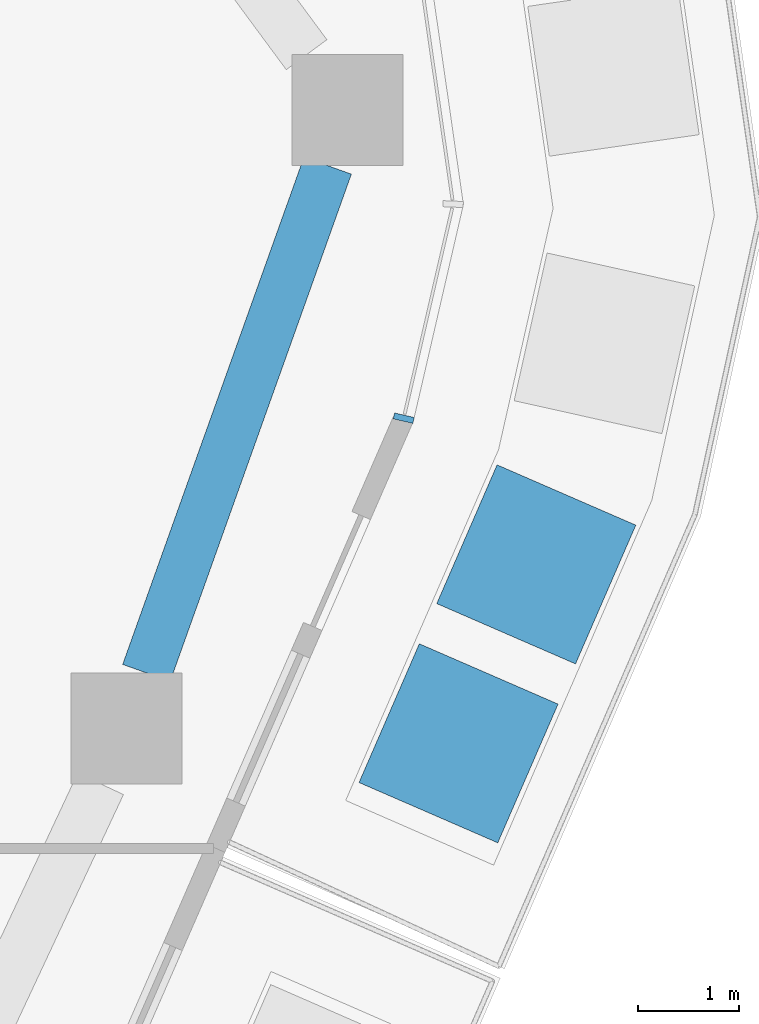
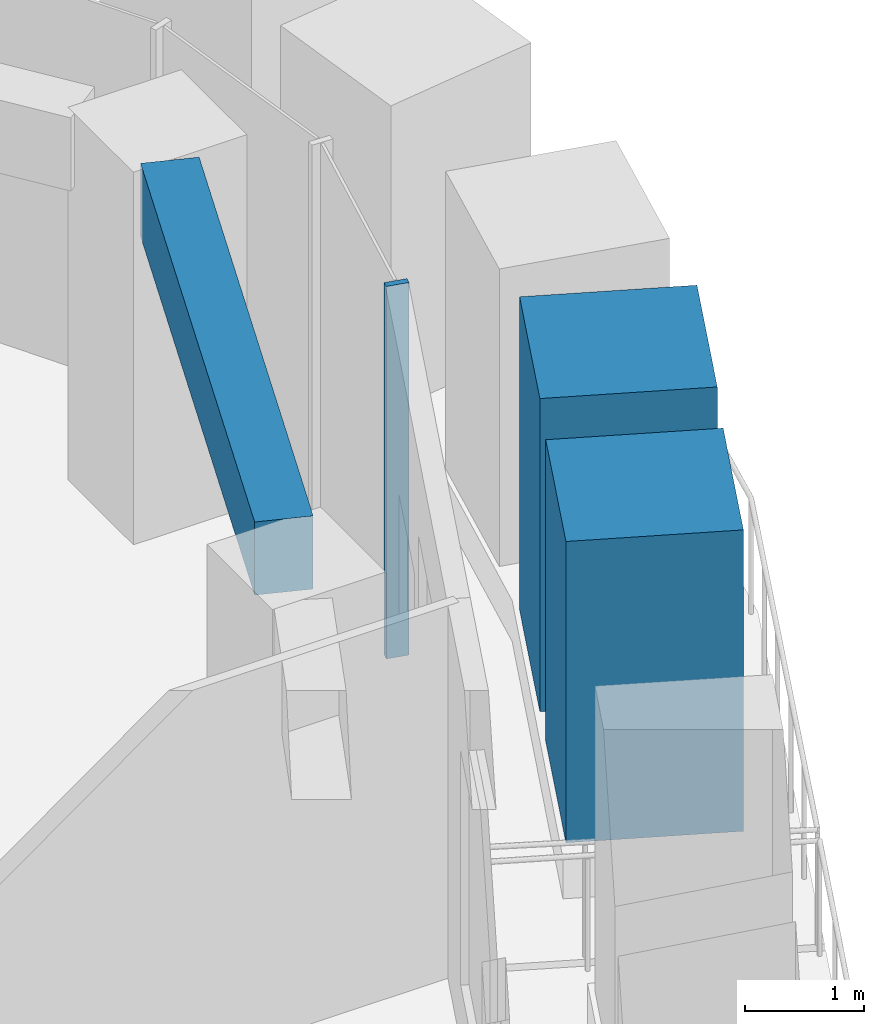
# One storey, part 5 of 20: 3 members, 1 beam, 1 element without a shape of its own.
"""IFC4 building model written with IfcOpenShell, lengths in metres."""

import ifcopenshell
import ifcopenshell.guid

model = None  # the IFC model being written
_history = None  # IfcOwnerHistory: only IFC2X3 demands one
_inside = {}  # id of a spatial element -> (the spatial element, [elements in it])
_under = {}  # id of a project, library or spatial element -> (it, [spatial elements below it])
_declared = {}  # id of a project -> (the project, [libraries it declares])
_typed = {}  # id of a type object -> (the type object, [elements of that type])
_made_of = {}  # id of a material, layer set ... -> (it, [elements and type objects made of it])


def new_model(schema):
    """Start an empty IFC model of exactly this schema.

    Asked for "IFC4X3", IfcOpenShell would pick the latest addendum, in which some entities
    have other attributes; the version numbers below select the first issue.
    IFC2X3 requires an IfcOwnerHistory on every rooted entity: one is made here for all.
    """
    global model, _history
    if schema == "IFC4X3":
        model = ifcopenshell.file(schema_version=(4, 3, 0, 0))
    else:
        model = ifcopenshell.file(schema=schema)
    _inside.clear()
    _under.clear()
    _declared.clear()
    _typed.clear()
    _made_of.clear()
    _history = None
    if model.schema == "IFC2X3":
        org = make("IfcOrganization", Name="unknown")
        user = make(
            "IfcPersonAndOrganization",
            ThePerson=make("IfcPerson", FamilyName="unknown"),
            TheOrganization=org,
        )
        app = make(
            "IfcApplication",
            ApplicationDeveloper=org,
            Version="unknown",
            ApplicationFullName="unknown",
            ApplicationIdentifier="unknown",
        )
        _history = make(
            "IfcOwnerHistory",
            OwningUser=user,
            OwningApplication=app,
            ChangeAction="ADDED",
            CreationDate=0,
        )
    return model


def make(cls, **values):
    """One entity of the class cls with the attributes given. An attribute that is None is left unset."""
    return model.create_entity(
        cls, **{name: value for name, value in values.items() if value is not None}
    )


def rooted(cls, **values):
    """An entity with a GlobalId (a new one), such as an element, a storey or a relation."""
    return make(cls, GlobalId=ifcopenshell.guid.new(), OwnerHistory=_history, **values)


def si_unit(unit_type, name, prefix=None):
    """IfcSIUnit, for example si_unit("LENGTHUNIT", "METRE", prefix="MILLI")."""
    return make("IfcSIUnit", UnitType=unit_type, Prefix=prefix, Name=name)


def assignment(units):
    """IfcUnitAssignment: the units of a project."""
    return None if units is None else make("IfcUnitAssignment", Units=units)


def point(xyz):
    """IfcCartesianPoint."""
    return None if xyz is None else make("IfcCartesianPoint", Coordinates=xyz)


def direction(xyz):
    """IfcDirection."""
    return None if xyz is None else make("IfcDirection", DirectionRatios=xyz)


def frame(location, z_axis=None, x_axis=None):
    """IfcAxis2Placement3D, a coordinate frame: its origin and axes. An axis left out is left unset."""
    return make(
        "IfcAxis2Placement3D",
        Location=point(location),
        Axis=direction(z_axis),
        RefDirection=direction(x_axis),
    )


def frame_2d(location, x_axis=None):
    """IfcAxis2Placement2D, a coordinate frame in the plane: its origin and x axis."""
    return make(
        "IfcAxis2Placement2D", Location=point(location), RefDirection=direction(x_axis)
    )


def origin():
    """The frame at (0, 0, 0) with its axes left unset."""
    return frame((0.0, 0.0, 0.0))


def origin_2d():
    """The frame at (0, 0) in the plane with its x axis left unset."""
    return frame_2d((0.0, 0.0))


def place(relative_to, where):
    """IfcLocalPlacement: puts the frame where relative to a parent placement (None: the world)."""
    return make(
        "IfcLocalPlacement", PlacementRelTo=relative_to, RelativePlacement=where
    )


def context(
    kind, dimensions, precision=None, world=None, true_north=None, identifier=None
):
    """IfcGeometricRepresentationContext, for example the 3D "Model" context."""
    return make(
        "IfcGeometricRepresentationContext",
        ContextIdentifier=identifier,
        ContextType=kind,
        CoordinateSpaceDimension=dimensions,
        Precision=precision,
        WorldCoordinateSystem=world,
        TrueNorth=true_north,
    )


def subcontext(parent, identifier, kind, view, scale=None):
    """IfcGeometricRepresentationSubContext, for example "Body" below "Model"."""
    return make(
        "IfcGeometricRepresentationSubContext",
        ContextIdentifier=identifier,
        ContextType=kind,
        ParentContext=parent,
        TargetScale=scale,
        TargetView=view,
    )


def project(units=None, contexts=None):
    """IfcProject with its units and contexts."""
    return rooted(
        "IfcProject",
        Name="project",
        RepresentationContexts=contexts,
        UnitsInContext=assignment(units),
    )


def spatial(cls, under=None, at=None, **own):
    """A site, building, storey or space (cls), placed at a placement, below another one or the project."""
    s = rooted(cls, ObjectPlacement=at, **own)
    if under is not None:
        _under.setdefault(under.id(), (under, []))[1].append(s)
    return s


def profile(cls, at=None, kind="AREA", **sizes):
    """A parametric profile (cls). Its sizes go by their IFC names, for example OverallWidth=200.0."""
    return make(cls, ProfileType=kind, Position=at, **sizes)


def rectangle(**sizes):
    """IfcRectangleProfileDef."""
    return profile("IfcRectangleProfileDef", **sizes)


def extrude(swept, where, along, depth):
    """IfcExtrudedAreaSolid: the profile swept, set in the frame where, extruded along a direction by depth."""
    return make(
        "IfcExtrudedAreaSolid",
        SweptArea=swept,
        Position=where,
        ExtrudedDirection=direction(along),
        Depth=depth,
    )


def shape(context_of_items, identifier, shape_type, items):
    """IfcShapeRepresentation: the items that make up one representation, for example the "Body"."""
    return make(
        "IfcShapeRepresentation",
        ContextOfItems=context_of_items,
        RepresentationIdentifier=identifier,
        RepresentationType=shape_type,
        Items=items,
    )


def material(Name=None, Category=None):
    """IfcMaterial."""
    return make("IfcMaterial", Name=Name, Category=Category)


def layer(
    of_material, thickness, ventilated=None, Name=None, Category=None, Priority=None
):
    """IfcMaterialLayer: one layer of a wall or slab, of a material (None: an air gap)."""
    return make(
        "IfcMaterialLayer",
        Material=of_material,
        LayerThickness=thickness,
        IsVentilated=ventilated,
        Name=Name,
        Category=Category,
        Priority=Priority,
    )


def layer_set(layers, Name=None):
    """IfcMaterialLayerSet."""
    return make("IfcMaterialLayerSet", MaterialLayers=layers, LayerSetName=Name)


def material_profile(
    of_material, cross_section, Name=None, Category=None, Priority=None
):
    """IfcMaterialProfile: a cross section and its material."""
    return make(
        "IfcMaterialProfile",
        Name=Name,
        Material=of_material,
        Profile=cross_section,
        Priority=Priority,
        Category=Category,
    )


def profile_set(profiles, Name=None, composite=None):
    """IfcMaterialProfileSet."""
    return make(
        "IfcMaterialProfileSet",
        Name=Name,
        MaterialProfiles=profiles,
        CompositeProfile=composite,
    )


def made_of(thing, what):
    """Note that an element or type object is made of a material, layer set ...; save() writes the relation."""
    if what is not None:
        _made_of.setdefault(what.id(), (what, []))[1].append(thing)
    return thing


def type_object(cls, material=None, **own):
    """A type object (cls), such as IfcWallType, which elements share."""
    return made_of(rooted(cls, **own), material)


def element(
    cls,
    number,
    at=None,
    inside=None,
    cuts=None,
    type_object=None,
    material=None,
    context=None,
    identifier="Body",
    shape_type=None,
    held_by="IfcProductDefinitionShape",
    body=None,
    shapes=None,
    **own,
):
    """One element of the class cls, such as IfcWall. Its Tag is "e" and its number.

    at: its placement. inside: the storey or other place that contains it. cuts: it is an
    opening in that element (IfcRelVoidsElement). A single representation is given by context,
    identifier, shape_type and body (its items); several are given by shapes. held_by: the class
    of the entity that holds the representations. save() writes the other relations.
    """
    e = rooted(cls, Tag="e%d" % number, ObjectPlacement=at, **own)
    if body is not None:
        shapes = [shape(context, identifier, shape_type, body)]
    if shapes is not None:
        e.Representation = make(held_by, Representations=shapes)
    if inside is not None:
        _inside.setdefault(inside.id(), (inside, []))[1].append(e)
    if cuts is not None:
        rooted(
            "IfcRelVoidsElement", RelatingBuildingElement=cuts, RelatedOpeningElement=e
        )
    if type_object is not None:
        _typed.setdefault(type_object.id(), (type_object, []))[1].append(e)
    return made_of(e, material)


def aggregate(whole, parts):
    """IfcRelAggregates: a whole, such as a stair, and the parts it consists of."""
    return rooted("IfcRelAggregates", RelatingObject=whole, RelatedObjects=parts)


def save(model, path):
    """Write the relations noted so far, then the file.

    IfcRelAggregates (storeys below a building ...), IfcRelContainedInSpatialStructure (elements
    in a storey), IfcRelDefinesByType, IfcRelAssociatesMaterial and IfcRelDeclares: one each for
    every whole, place, type object, material and project.
    """
    for whole, parts in _under.values():
        aggregate(whole, parts)
    for where, things in _inside.values():
        rooted(
            "IfcRelContainedInSpatialStructure",
            RelatedElements=things,
            RelatingStructure=where,
        )
    for kind, things in _typed.values():
        rooted("IfcRelDefinesByType", RelatedObjects=things, RelatingType=kind)
    for what, things in _made_of.values():
        rooted("IfcRelAssociatesMaterial", RelatedObjects=things, RelatingMaterial=what)
    for by, libraries in _declared.values():
        rooted("IfcRelDeclares", RelatingContext=by, RelatedDefinitions=libraries)
    model.write(path)


model = new_model("IFC4")

# Units and contexts
model_context = context("Model", 3, precision=1e-05, world=origin(), true_north=direction((0.0, 1.0)))
body_context = subcontext(model_context, "Body", "Model", "MODEL_VIEW")
ifc_project = project(units=[si_unit("LENGTHUNIT", "METRE"), si_unit("AREAUNIT", "SQUARE_METRE"), si_unit("VOLUMEUNIT", "CUBIC_METRE"), si_unit("PLANEANGLEUNIT", "RADIAN"), si_unit("MASSUNIT", "GRAM", prefix="KILO")], contexts=[model_context])

# Site, building, storey
site_placement = place(None, origin())
site = spatial("IfcSite", under=ifc_project, at=site_placement, CompositionType="ELEMENT")
building_placement = place(site_placement, origin())
building = spatial("IfcBuilding", under=site, at=building_placement, Name="Dongbaek Canopy Tower", CompositionType="ELEMENT")
storey_placement = place(building_placement, frame((0.0, 0.0, 241.199951171875)))
storey = spatial("IfcBuildingStorey", under=building, at=storey_placement, Name="L50", CompositionType="ELEMENT", Elevation=241.199951171875)

# Curtain wall, member
ifc_material_1 = material(Name="Aluminium 6063-T6 pale anodised", Category="aluminium")
ifc_layer = layer(ifc_material_1, 0.199951171875)
ifc_layer_set = layer_set([ifc_layer], Name="CW-1 unitised tower curtain wall")
curtain_wall_type = type_object("IfcCurtainWallType", Name="CW-1 unitised tower curtain wall", PredefinedType="NOTDEFINED", material=ifc_layer_set)
curtain_wall_placement = place(storey_placement, origin())
curtain_wall = element("IfcCurtainWall", 1, at=curtain_wall_placement, inside=storey, type_object=curtain_wall_type, Name="CW-1 curtain wall K0.1", PredefinedType="NOTDEFINED")
ifc_material_2 = material(Name="Aluminium 6063-T6 pale anodised", Category="aluminium")
ifc_material_profile_1 = material_profile(ifc_material_2, rectangle(XDim=0.199951171875, YDim=0.06005859375, at=origin_2d()), Name="CW-1 mullion 60 x 200")
ifc_profile_set_1 = profile_set([ifc_material_profile_1], Name="Aluminium 6063-T6 pale anodised")
member_type_1 = type_object("IfcMemberType", Name="CW-1 mullion 60 x 200", PredefinedType="MULLION", material=ifc_profile_set_1)
member_1_placement = place(storey_placement, frame((28.04931640625, 2.92333984375, 0.0), z_axis=(0.0, 0.0, 1.0), x_axis=(0.974361728363, -0.224987160304, 0.0)))
member_1 = element("IfcMember", 2, at=member_1_placement, type_object=member_type_1, Name="CW-1 mullion K0.1.1", PredefinedType="MULLION", context=body_context, shape_type="SweptSolid", body=[
    extrude(rectangle(XDim=0.199951171875, YDim=0.06005859375, at=origin_2d()), origin(), (0.0, 0.0, 1.0), 3.820068359375),
])
aggregate(curtain_wall, [member_1])

# Beam
ifc_material_3 = material(Name="Concrete C70", Category="concrete")
ifc_material_profile_2 = material_profile(ifc_material_3, rectangle(XDim=0.5, YDim=0.75, at=origin_2d()), Name="RC EDGE BEAM 500x750 C70")
ifc_profile_set_2 = profile_set([ifc_material_profile_2], Name="Concrete C70")
beam_type = type_object("IfcBeamType", Name="RC EDGE BEAM 500x750 C70", PredefinedType="BEAM", material=ifc_profile_set_2)
beam_placement = place(storey_placement, frame((27.29541015625, 5.427001953125, 3.445068359375), z_axis=(-0.336466714227, -0.94169535956, 0.0), x_axis=(0.94169535956, -0.336466714227, 0.0)))
element("IfcBeam", 3, at=beam_placement, inside=storey, type_object=beam_type, Name="EDGEBEAM:L50:21", PredefinedType="BEAM", context=body_context, shape_type="SweptSolid", body=[
    extrude(rectangle(XDim=0.5, YDim=0.75, at=origin_2d()), origin(), (0.0, 0.0, 1.0), 5.34033203125),
])

# Members
ifc_material_4 = material(Name="Concrete C40/50 planter mass with planting", Category="concrete")
ifc_material_profile_3 = material_profile(ifc_material_4, rectangle(XDim=1.5, YDim=1.5, at=origin_2d()), Name="Terrace PLANTER shrub mass 1500 x 1500")
ifc_profile_set_3 = profile_set([ifc_material_profile_3], Name="Concrete C40/50 planter mass with planting")
member_type_2 = type_object("IfcMemberType", Name="Terrace PLANTER shrub mass 1500 x 1500", PredefinedType="USERDEFINED", material=ifc_profile_set_3)
member_2_placement = place(storey_placement, frame((28.593017578125, -0.299560546875, 0.420166015625), z_axis=(0.0, 0.0, 1.0), x_axis=(0.917131470952, -0.398584827846, 0.0)))
element("IfcMember", 4, at=member_2_placement, inside=storey, type_object=member_type_2, Name="Planter shrubs L50 6.1", ObjectType="PLANTER", PredefinedType="USERDEFINED", context=body_context, shape_type="SweptSolid", body=[
    extrude(rectangle(XDim=1.5, YDim=1.5, at=origin_2d()), origin(), (0.0, 0.0, 1.0), 3.08984375),
])
member_3_placement = place(storey_placement, frame((29.36376953125, 1.47412109375, 0.420166015625), z_axis=(0.0, 0.0, 1.0), x_axis=(0.917131470952, -0.398584827846, 0.0)))
element("IfcMember", 5, at=member_3_placement, inside=storey, type_object=member_type_2, Name="Planter shrubs L50 6.2", ObjectType="PLANTER", PredefinedType="USERDEFINED", context=body_context, shape_type="SweptSolid", body=[
    extrude(rectangle(XDim=1.5, YDim=1.5, at=origin_2d()), origin(), (0.0, 0.0, 1.0), 3.2099609375),
])

save(model, "model.ifc")
